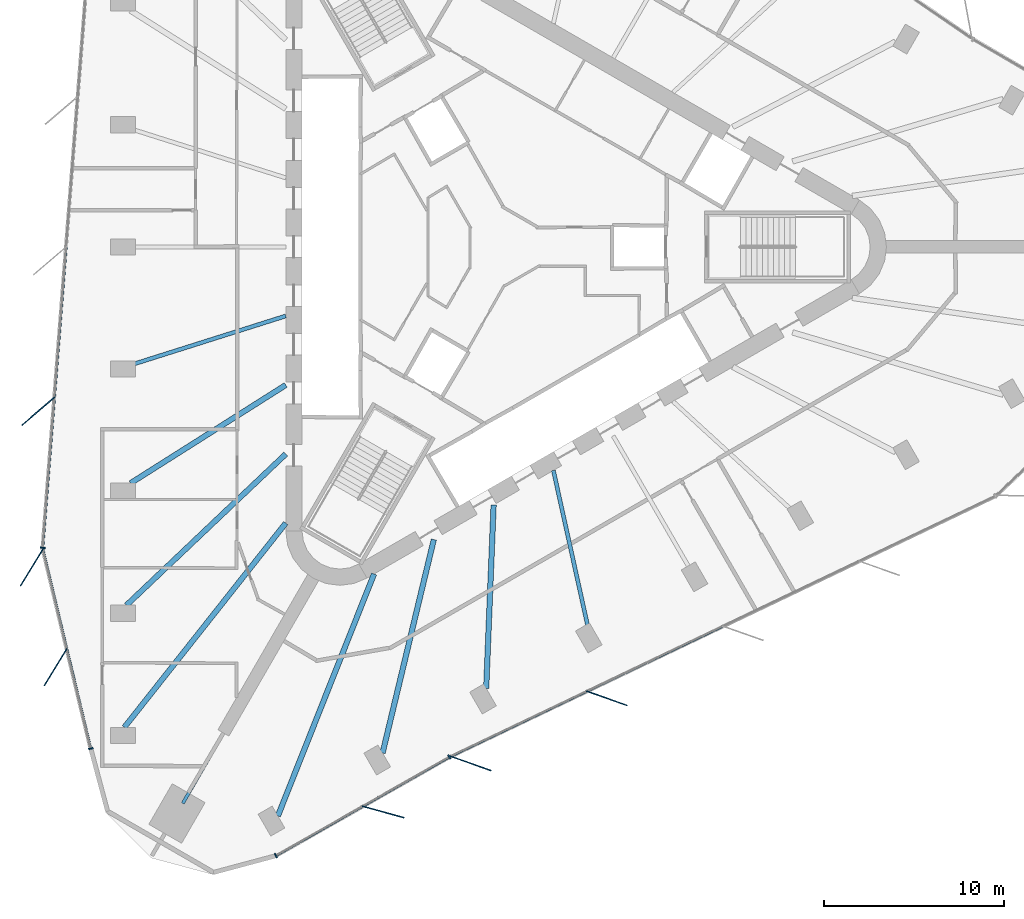
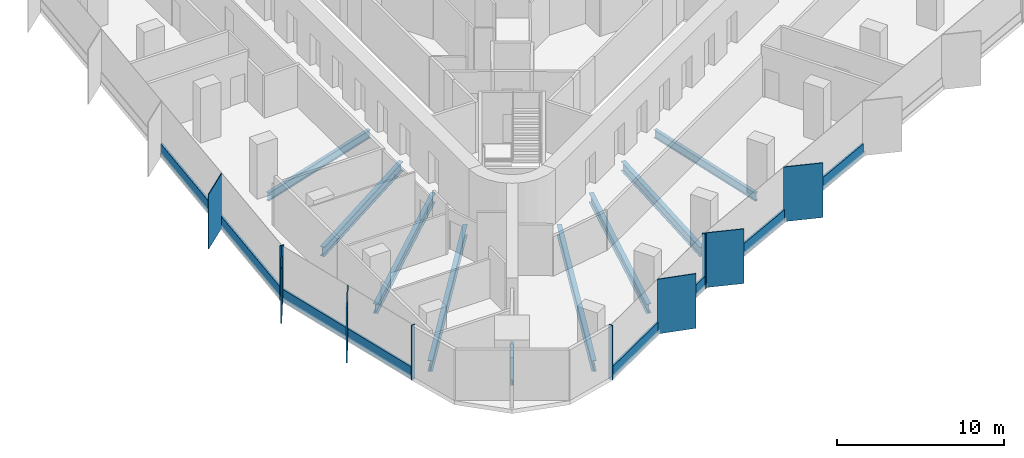
# One storey, part 2 of 13: 18 members, 9 beams, 4 elements without a shape of their own.
"""IFC4 building model written with IfcOpenShell, lengths in metres."""

from ifc_helpers import new_model, si_unit, direction, frame, origin, origin_2d, place, context, subcontext, project, spatial, rectangle, i_section, extrude, material, material_profile, profile_set, type_object, element, aggregate, save


model = new_model("IFC4")

# Units and contexts
model_context = context("Model", 3, precision=1e-05, world=origin(), true_north=direction((0.0, 1.0)))
body_context = subcontext(model_context, "Body", "Model", "MODEL_VIEW")
ifc_project = project(units=[si_unit("LENGTHUNIT", "METRE"), si_unit("AREAUNIT", "SQUARE_METRE"), si_unit("VOLUMEUNIT", "CUBIC_METRE"), si_unit("PLANEANGLEUNIT", "RADIAN"), si_unit("MASSUNIT", "GRAM", prefix="KILO")], contexts=[model_context])

# Site, building, storey
site_placement = place(None, origin())
site = spatial("IfcSite", under=ifc_project, at=site_placement, CompositionType="ELEMENT")
building_placement = place(site_placement, origin())
building = spatial("IfcBuilding", under=site, at=building_placement, Name="Tanit Gate Tower", CompositionType="ELEMENT")
storey_placement = place(building_placement, frame((0.0, 0.0, 265.199951171875)))
storey = spatial("IfcBuildingStorey", under=building, at=storey_placement, Name="L60", CompositionType="ELEMENT", Elevation=265.199951171875)

# Curtain wall, member
ifc_material_1 = material(Name="Aluminium bronze anodised and glass", Category="aluminium")
curtain_wall_type = type_object("IfcCurtainWallType", Name="Curtain wall typical mid", PredefinedType="NOTDEFINED", material=ifc_material_1)
curtain_wall_1_placement = place(storey_placement, origin())
curtain_wall_1 = element("IfcCurtainWall", 1, at=curtain_wall_1_placement, inside=storey, type_object=curtain_wall_type, Name="Curtain wall L60 W2", PredefinedType="NOTDEFINED")
ifc_material_2 = material(Name="Aluminium bronze anodised", Category="aluminium")
ifc_material_profile_1 = material_profile(ifc_material_2, rectangle(XDim=2.39990234375, YDim=0.055908203125, at=origin_2d()), Name="56x2400 bronze fin mullion")
ifc_profile_set_1 = profile_set([ifc_material_profile_1], Name="Aluminium bronze anodised")
member_type_1 = type_object("IfcMemberType", Name="FIN MULLION 56x2400 bronze", PredefinedType="MULLION", material=ifc_profile_set_1)
member_1_placement = place(storey_placement, frame((-25.82177734375, -9.10546875, -0.300048828125), z_axis=(0.0, 0.0, 1.0), x_axis=(0.75991198916, 0.650025975428, 0.0)))
member_1 = element("IfcMember", 2, at=member_1_placement, type_object=member_type_1, Name="Fin mullion L60 W2.4", PredefinedType="MULLION", context=body_context, shape_type="SweptSolid", body=[
    extrude(rectangle(XDim=2.39990234375, YDim=0.055908203125, at=origin_2d()), origin(), (0.0, 0.0, 1.0), 4.0),
])

# Curtain wall, members
curtain_wall_2_placement = place(storey_placement, origin())
curtain_wall_2 = element("IfcCurtainWall", 3, at=curtain_wall_2_placement, inside=storey, type_object=curtain_wall_type, Name="Curtain wall L60 W3", PredefinedType="NOTDEFINED")
member_2_placement = place(storey_placement, frame((-26.185791015625, -17.764892578125, -0.300048828125), z_axis=(0.0, 0.0, 1.0), x_axis=(0.522413666557, 0.852692184199, 0.0)))
member_2 = element("IfcMember", 4, at=member_2_placement, type_object=member_type_1, Name="Fin mullion L60 W3.1", PredefinedType="MULLION", context=body_context, shape_type="SweptSolid", body=[
    extrude(rectangle(XDim=2.39990234375, YDim=0.055908203125, at=origin_2d()), origin(), (0.0, 0.0, 1.0), 4.0),
])
member_3_placement = place(storey_placement, frame((-24.85791015625, -23.292724609375, -0.300048828125), z_axis=(0.0, 0.0, 1.0), x_axis=(0.522413666557, 0.852692184199, 0.0)))
member_3 = element("IfcMember", 5, at=member_3_placement, type_object=member_type_1, Name="Fin mullion L60 W3.2", PredefinedType="MULLION", context=body_context, shape_type="SweptSolid", body=[
    extrude(rectangle(XDim=2.39990234375, YDim=0.055908203125, at=origin_2d()), origin(), (0.0, 0.0, 1.0), 4.0),
])

# Curtain wall, member
curtain_wall_3_placement = place(storey_placement, origin())
curtain_wall_3 = element("IfcCurtainWall", 6, at=curtain_wall_3_placement, inside=storey, type_object=curtain_wall_type, Name="Curtain wall L60 SE1", PredefinedType="NOTDEFINED")
member_4_placement = place(storey_placement, frame((-6.7041015625, -31.32470703125, -0.300048828125), z_axis=(0.0, 0.0, 1.0), x_axis=(-0.964256591689, 0.264970234904, 0.0)))
member_4 = element("IfcMember", 7, at=member_4_placement, type_object=member_type_1, Name="Fin mullion L60 SE1.2", PredefinedType="MULLION", context=body_context, shape_type="SweptSolid", body=[
    extrude(rectangle(XDim=2.39990234375, YDim=0.055908203125, at=origin_2d()), origin(), (0.0, 0.0, 1.0), 4.0),
])

# Curtain wall, members
curtain_wall_4_placement = place(storey_placement, origin())
curtain_wall_4 = element("IfcCurtainWall", 8, at=curtain_wall_4_placement, inside=storey, type_object=curtain_wall_type, Name="Curtain wall L60 SE2", PredefinedType="NOTDEFINED")
member_5_placement = place(storey_placement, frame((-1.8505859375, -28.6328125, -0.300048828125), z_axis=(0.0, 0.0, 1.0), x_axis=(-0.94289500242, 0.333090099539, 0.0)))
member_5 = element("IfcMember", 9, at=member_5_placement, type_object=member_type_1, Name="Fin mullion L60 SE2.1", PredefinedType="MULLION", context=body_context, shape_type="SweptSolid", body=[
    extrude(rectangle(XDim=2.39990234375, YDim=0.055908203125, at=origin_2d()), origin(), (0.0, 0.0, 1.0), 4.0),
])
member_6_placement = place(storey_placement, frame((5.698486328125, -25.025146484375, -0.300048828125), z_axis=(0.0, 0.0, 1.0), x_axis=(-0.94289500242, 0.333090099539, 0.0)))
member_6 = element("IfcMember", 10, at=member_6_placement, type_object=member_type_1, Name="Fin mullion L60 SE2.2", PredefinedType="MULLION", context=body_context, shape_type="SweptSolid", body=[
    extrude(rectangle(XDim=2.39990234375, YDim=0.055908203125, at=origin_2d()), origin(), (0.0, 0.0, 1.0), 4.0),
])

# Member
ifc_material_3 = material(Name="Aluminium bronze anodised", Category="aluminium")
ifc_material_profile_2 = material_profile(ifc_material_3, rectangle(XDim=0.260009765625, YDim=0.080078125, at=origin_2d()), Name="80x260 bronze mullion")
ifc_profile_set_2 = profile_set([ifc_material_profile_2], Name="Aluminium bronze anodised")
member_type_2 = type_object("IfcMemberType", Name="Mullion 80x260 typical mid", PredefinedType="MULLION", material=ifc_profile_set_2)
member_7_placement = place(storey_placement, frame((-25.576171875, -16.680908203125, -0.300048828125), z_axis=(0.0, 0.0, 1.0), x_axis=(0.996976695812, -0.077701145467, 0.0)))
member_7 = element("IfcMember", 11, at=member_7_placement, type_object=member_type_2, Name="Mullion L60 W2.5", PredefinedType="MULLION", context=body_context, shape_type="SweptSolid", body=[
    extrude(rectangle(XDim=0.260009765625, YDim=0.080078125, at=origin_2d()), origin(), (0.0, 0.0, 1.0), 4.0),
])

member_8_placement = place(storey_placement, frame((-22.91455078125, -27.8154296875, -0.300048828125), z_axis=(0.0, 0.0, 1.0), x_axis=(0.972346671919, 0.233542179505, 0.0)))
member_8 = element("IfcMember", 12, at=member_8_placement, type_object=member_type_2, Name="Mullion L60 W3.3", PredefinedType="MULLION", context=body_context, shape_type="SweptSolid", body=[
    extrude(rectangle(XDim=0.260009765625, YDim=0.080078125, at=origin_2d()), origin(), (0.0, 0.0, 1.0), 4.0),
])

member_9_placement = place(storey_placement, frame((-12.648681640625, -33.747314453125, -0.300048828125), z_axis=(0.0, 0.0, 1.0), x_axis=(-0.494470124873, 0.8691946247, 0.0)))
member_9 = element("IfcMember", 13, at=member_9_placement, type_object=member_type_2, Name="Mullion L60 SE1.1", PredefinedType="MULLION", context=body_context, shape_type="SweptSolid", body=[
    extrude(rectangle(XDim=0.260009765625, YDim=0.080078125, at=origin_2d()), origin(), (0.0, 0.0, 1.0), 4.0),
])

member_10_placement = place(storey_placement, frame((-3.032958984375, -28.27734375, -0.300048828125), z_axis=(0.0, 0.0, 1.0), x_axis=(-0.494470124873, 0.8691946247, 0.0)))
member_10 = element("IfcMember", 14, at=member_10_placement, type_object=member_type_2, Name="Mullion L60 SE1.3", PredefinedType="MULLION", context=body_context, shape_type="SweptSolid", body=[
    extrude(rectangle(XDim=0.260009765625, YDim=0.080078125, at=origin_2d()), origin(), (0.0, 0.0, 1.0), 4.0),
])

# Beams
ifc_material_4 = material(Name="Steel S355", Category="steel")
ifc_material_profile_3 = material_profile(ifc_material_4, i_section(OverallWidth=0.300048828125, OverallDepth=0.68994140625, WebThickness=0.014404296875, FlangeThickness=0.027099609375, FilletRadius=0.027099609375, at=origin_2d()), Name="HEA 700")
ifc_profile_set_3 = profile_set([ifc_material_profile_3], Name="Steel S355")
beam_type_1 = type_object("IfcBeamType", Name="RADIAL GIRDER HEA 700 S355", PredefinedType="BEAM", material=ifc_profile_set_3)
beam_1_placement = place(storey_placement, frame((-20.707275390625, -13.09912109375, -0.64501953125), z_axis=(0.845101827665, 0.534605369293, 0.0), x_axis=(-0.534605369293, 0.845101827665, 0.0)))
element("IfcBeam", 15, at=beam_1_placement, inside=storey, type_object=beam_type_1, Name="RADIAL GIRDER", PredefinedType="BEAM", context=body_context, shape_type="SweptSolid", body=[
    extrude(i_section(OverallWidth=0.300048828125, OverallDepth=0.68994140625, WebThickness=0.014404296875, FlangeThickness=0.027099609375, FilletRadius=0.027099609375, at=origin_2d()), origin(), (0.0, 0.0, 1.0), 10.182373046875),
])
for number, where, z_axis, x_axis, name in (
    (16, (-20.93310546875, -19.86279296875, -0.64501953125), (0.725413886333, 0.688312932841, 0.0), (-0.688312932841, 0.725413886333, 0.0), "RADIAL GIRDER"),
    (17, (-6.7353515625, -28.06005859375, -0.64501953125), (0.233413152093, 0.972377653194, 0.0), (-0.972377653194, 0.233413152093, 0.0), "RADIAL GIRDER"),
):
    element("IfcBeam", number, at=place(storey_placement, frame(where, z_axis=z_axis, x_axis=x_axis)), inside=storey, type_object=beam_type_1, Name=name, PredefinedType="BEAM", context=body_context, shape_type="SweptSolid", body=[
        extrude(i_section(OverallWidth=0.300048828125, OverallDepth=0.68994140625, WebThickness=0.014404296875, FlangeThickness=0.027099609375, FilletRadius=0.027099609375, at=origin_2d()), origin(), (0.0, 0.0, 1.0), 12.173828125),
    ])
beam_2_placement = place(storey_placement, frame((-0.990478515625, -24.482666015625, -0.64501953125), z_axis=(0.040423811094, 0.999182623696, 0.0), x_axis=(-0.999182623696, 0.040423811094, 0.0)))
element("IfcBeam", 18, at=beam_2_placement, inside=storey, type_object=beam_type_1, Name="RADIAL GIRDER", PredefinedType="BEAM", context=body_context, shape_type="SweptSolid", body=[
    extrude(i_section(OverallWidth=0.300048828125, OverallDepth=0.68994140625, WebThickness=0.014404296875, FlangeThickness=0.027099609375, FilletRadius=0.027099609375, at=origin_2d()), origin(), (0.0, 0.0, 1.0), 10.1826171875),
])
ifc_material_5 = material(Name="Steel S355", Category="steel")
ifc_material_profile_4 = material_profile(ifc_material_5, i_section(OverallWidth=0.300048828125, OverallDepth=0.7900390625, WebThickness=0.014892578125, FlangeThickness=0.028076171875, FilletRadius=0.030029296875, at=origin_2d()), Name="HEA 800")
ifc_profile_set_4 = profile_set([ifc_material_profile_4], Name="Steel S355")
beam_type_2 = type_object("IfcBeamType", Name="RADIAL GIRDER HEA 800 S355", PredefinedType="BEAM", material=ifc_profile_set_4)
beam_3_placement = place(storey_placement, frame((-21.051513671875, -26.6337890625, -0.695068359375), z_axis=(0.6200900957, 0.784530606933, 0.0), x_axis=(-0.784530606933, 0.6200900957, 0.0)))
element("IfcBeam", 19, at=beam_3_placement, inside=storey, type_object=beam_type_2, Name="RADIAL GIRDER", PredefinedType="BEAM", context=body_context, shape_type="SweptSolid", body=[
    extrude(i_section(OverallWidth=0.300048828125, OverallDepth=0.7900390625, WebThickness=0.014892578125, FlangeThickness=0.028076171875, FilletRadius=0.030029296875, at=origin_2d()), origin(), (0.0, 0.0, 1.0), 14.4326171875),
])
beam_4_placement = place(storey_placement, frame((-12.539794921875, -31.54833984375, -0.695068359375), z_axis=(0.369365772783, 0.929284093212, 0.0), x_axis=(-0.929284093212, 0.369365772783, 0.0)))
element("IfcBeam", 20, at=beam_4_placement, inside=storey, type_object=beam_type_2, Name="RADIAL GIRDER", PredefinedType="BEAM", context=body_context, shape_type="SweptSolid", body=[
    extrude(i_section(OverallWidth=0.300048828125, OverallDepth=0.7900390625, WebThickness=0.014892578125, FlangeThickness=0.028076171875, FilletRadius=0.030029296875, at=origin_2d()), origin(), (0.0, 0.0, 1.0), 14.43310546875),
])
ifc_material_6 = material(Name="Steel S355", Category="steel")
ifc_material_profile_5 = material_profile(ifc_material_6, i_section(OverallWidth=0.179931640625, OverallDepth=0.39990234375, WebThickness=0.008544921875, FlangeThickness=0.013427734375, FilletRadius=0.02099609375, at=origin_2d()), Name="IPE 400")
ifc_profile_set_5 = profile_set([ifc_material_profile_5], Name="Steel S355")
beam_type_3 = type_object("IfcBeamType", Name="RADIAL GIRDER IPE 400 S355", PredefinedType="BEAM", material=ifc_profile_set_5)
beam_5_placement = place(storey_placement, frame((-17.81005859375, -30.847900390625, -0.5), z_axis=(0.500008591458, 0.866020443447, 0.0), x_axis=(-0.866020443447, 0.500008591458, 0.0)))
element("IfcBeam", 21, at=beam_5_placement, inside=storey, type_object=beam_type_3, Name="RADIAL GIRDER", PredefinedType="BEAM", context=body_context, shape_type="SweptSolid", body=[
    extrude(i_section(OverallWidth=0.179931640625, OverallDepth=0.39990234375, WebThickness=0.008544921875, FlangeThickness=0.013427734375, FilletRadius=0.02099609375, at=origin_2d()), origin(), (0.0, 0.0, 1.0), 4.03759765625),
])
ifc_material_7 = material(Name="Steel S355", Category="steel")
ifc_material_profile_6 = material_profile(ifc_material_7, i_section(OverallWidth=0.219970703125, OverallDepth=0.60009765625, WebThickness=0.011962890625, FlangeThickness=0.01904296875, FilletRadius=0.02392578125, at=origin_2d()), Name="IPE 600")
ifc_profile_set_6 = profile_set([ifc_material_profile_6], Name="Steel S355")
beam_type_4 = type_object("IfcBeamType", Name="RADIAL GIRDER IPE 600 S355", PredefinedType="BEAM", material=ifc_profile_set_6)
beam_6_placement = place(storey_placement, frame((-20.707275390625, -6.549560546875, -0.599853515625), z_axis=(0.953447657806, 0.301558557869, 0.0), x_axis=(-0.301558557869, 0.953447657806, 0.0)))
element("IfcBeam", 22, at=beam_6_placement, inside=storey, type_object=beam_type_4, Name="RADIAL GIRDER", PredefinedType="BEAM", context=body_context, shape_type="SweptSolid", body=[
    extrude(i_section(OverallWidth=0.219970703125, OverallDepth=0.60009765625, WebThickness=0.011962890625, FlangeThickness=0.01904296875, FilletRadius=0.02392578125, at=origin_2d()), origin(), (0.0, 0.0, 1.0), 9.025390625),
])
beam_7_placement = place(storey_placement, frame((4.681396484375, -21.2080078125, -0.599853515625), z_axis=(-0.215532558001, 0.976496654598, 0.0), x_axis=(-0.976496654598, -0.215532558001, 0.0)))
element("IfcBeam", 23, at=beam_7_placement, inside=storey, type_object=beam_type_4, Name="RADIAL GIRDER", PredefinedType="BEAM", context=body_context, shape_type="SweptSolid", body=[
    extrude(i_section(OverallWidth=0.219970703125, OverallDepth=0.60009765625, WebThickness=0.011962890625, FlangeThickness=0.01904296875, FilletRadius=0.02392578125, at=origin_2d()), origin(), (0.0, 0.0, 1.0), 9.025634765625),
])

# Member
ifc_material_8 = material(Name="Aluminium bronze anodised", Category="aluminium")
ifc_material_profile_7 = material_profile(ifc_material_8, rectangle(XDim=0.139892578125, YDim=0.89990234375, at=origin_2d()), Name="140x900 bronze transom")
ifc_profile_set_7 = profile_set([ifc_material_profile_7], Name="Aluminium bronze anodised")
member_type_3 = type_object("IfcMemberType", Name="Transom 140x900 typical mid", PredefinedType="USERDEFINED", material=ifc_profile_set_7)
member_11_placement = place(storey_placement, frame((-24.279052734375, -0.03759765625, 0.150146484375), z_axis=(-0.07769000697, -0.996977563848, 0.0), x_axis=(0.996977563848, -0.07769000697, 0.0)))
member_11 = element("IfcMember", 24, at=member_11_placement, type_object=member_type_3, Name="Transom L60 W2.3", ObjectType="TRANSOM", PredefinedType="USERDEFINED", context=body_context, shape_type="SweptSolid", body=[
    extrude(rectangle(XDim=0.139892578125, YDim=0.89990234375, at=origin_2d()), origin(), (0.0, 0.0, 1.0), 8.286865234375),
])

member_12_placement = place(storey_placement, frame((-24.92919921875, -8.379150390625, 0.150146484375), z_axis=(-0.07768772509, -0.996977741662, 0.0), x_axis=(0.996977741662, -0.07768772509, 0.0)))
member_12 = element("IfcMember", 25, at=member_12_placement, type_object=member_type_3, Name="Transom L60 W2.4", ObjectType="TRANSOM", PredefinedType="USERDEFINED", context=body_context, shape_type="SweptSolid", body=[
    extrude(rectangle(XDim=0.139892578125, YDim=0.89990234375, at=origin_2d()), origin(), (0.0, 0.0, 1.0), 8.287109375),
])

aggregate(curtain_wall_1, [member_1, member_7, member_11, member_12])

member_13_placement = place(storey_placement, frame((-25.560546875, -16.798583984375, 0.150146484375), z_axis=(0.233547568299, -0.972345377601, 0.0), x_axis=(0.972345377601, 0.233547568299, 0.0)))
member_13 = element("IfcMember", 26, at=member_13_placement, type_object=member_type_3, Name="Transom L60 W3.1", ObjectType="TRANSOM", PredefinedType="USERDEFINED", context=body_context, shape_type="SweptSolid", body=[
    extrude(rectangle(XDim=0.139892578125, YDim=0.89990234375, at=origin_2d()), origin(), (0.0, 0.0, 1.0), 5.605224609375),
])

member_14_placement = place(storey_placement, frame((-24.23291015625, -22.326416015625, 0.150146484375), z_axis=(0.233547568299, -0.972345377601, 0.0), x_axis=(0.972345377601, 0.233547568299, 0.0)))
member_14 = element("IfcMember", 27, at=member_14_placement, type_object=member_type_3, Name="Transom L60 W3.2", ObjectType="TRANSOM", PredefinedType="USERDEFINED", context=body_context, shape_type="SweptSolid", body=[
    extrude(rectangle(XDim=0.139892578125, YDim=0.89990234375, at=origin_2d()), origin(), (0.0, 0.0, 1.0), 5.605224609375),
])

aggregate(curtain_wall_2, [member_2, member_3, member_8, member_13, member_14])

member_15_placement = place(storey_placement, frame((-12.61376953125, -33.7275390625, 0.150146484375), z_axis=(0.869200671839, 0.494459494878, 0.0), x_axis=(-0.494459494878, 0.869200671839, 0.0)))
member_15 = element("IfcMember", 28, at=member_15_placement, type_object=member_type_3, Name="Transom L60 SE1.1", ObjectType="TRANSOM", PredefinedType="USERDEFINED", context=body_context, shape_type="SweptSolid", body=[
    extrude(rectangle(XDim=0.139892578125, YDim=0.89990234375, at=origin_2d()), origin(), (0.0, 0.0, 1.0), 5.450927734375),
])

member_16_placement = place(storey_placement, frame((-7.80615234375, -30.992431640625, 0.150146484375), z_axis=(0.869211621425, 0.494440246318, 0.0), x_axis=(-0.494440246318, 0.869211621425, 0.0)))
member_16 = element("IfcMember", 29, at=member_16_placement, type_object=member_type_3, Name="Transom L60 SE1.2", ObjectType="TRANSOM", PredefinedType="USERDEFINED", context=body_context, shape_type="SweptSolid", body=[
    extrude(rectangle(XDim=0.139892578125, YDim=0.89990234375, at=origin_2d()), origin(), (0.0, 0.0, 1.0), 5.451171875),
])

aggregate(curtain_wall_3, [member_9, member_4, member_10, member_15, member_16])

member_17_placement = place(storey_placement, frame((-2.926025390625, -28.222900390625, 0.150146484375), z_axis=(0.902257333807, 0.431197986534, 0.0), x_axis=(-0.431197986534, 0.902257333807, 0.0)))
member_17 = element("IfcMember", 30, at=member_17_placement, type_object=member_type_3, Name="Transom L60 SE2.1", ObjectType="TRANSOM", PredefinedType="USERDEFINED", context=body_context, shape_type="SweptSolid", body=[
    extrude(rectangle(XDim=0.139892578125, YDim=0.89990234375, at=origin_2d()), origin(), (0.0, 0.0, 1.0), 8.286865234375),
])

member_18_placement = place(storey_placement, frame((4.623046875, -24.615234375, 0.150146484375), z_axis=(0.902257333807, 0.431197986534, 0.0), x_axis=(-0.431197986534, 0.902257333807, 0.0)))
member_18 = element("IfcMember", 31, at=member_18_placement, type_object=member_type_3, Name="Transom L60 SE2.2", ObjectType="TRANSOM", PredefinedType="USERDEFINED", context=body_context, shape_type="SweptSolid", body=[
    extrude(rectangle(XDim=0.139892578125, YDim=0.89990234375, at=origin_2d()), origin(), (0.0, 0.0, 1.0), 8.286865234375),
])

aggregate(curtain_wall_4, [member_5, member_6, member_17, member_18])

save(model, "model.ifc")
